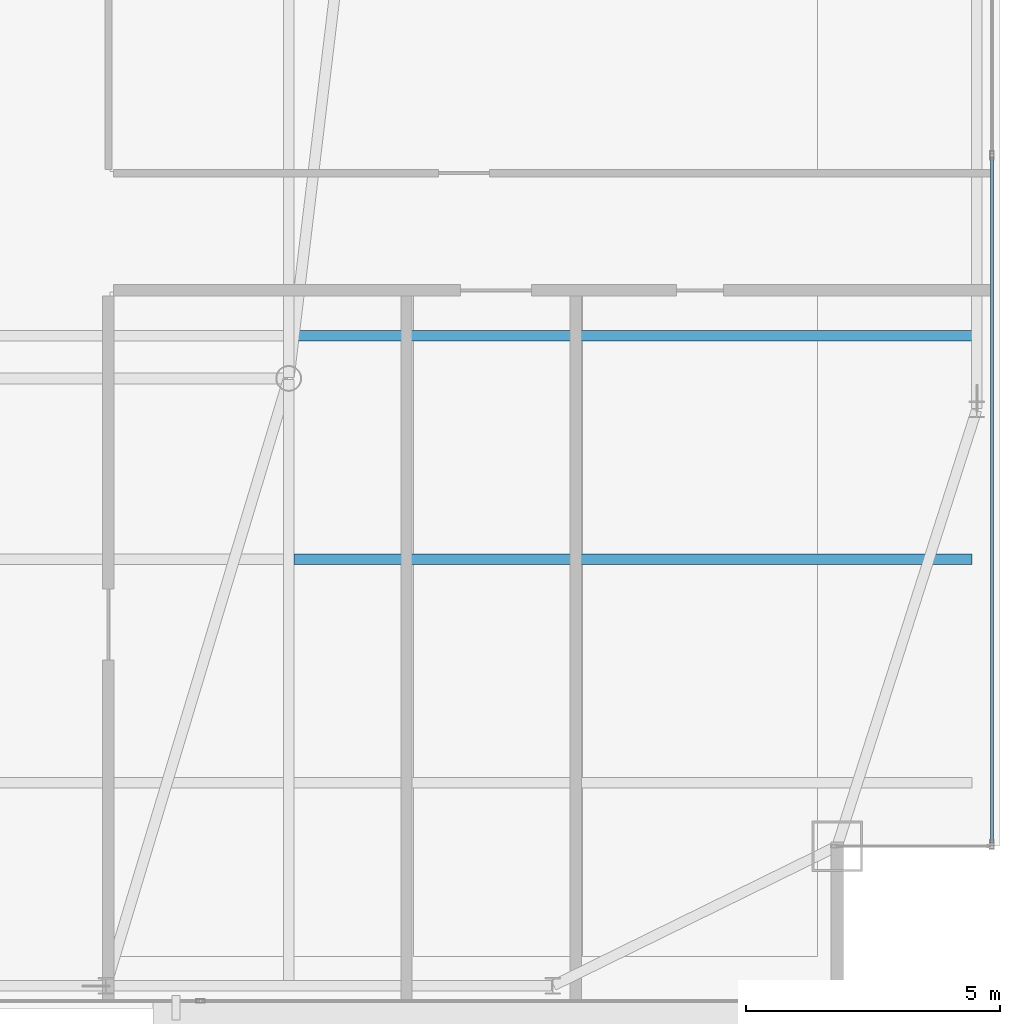
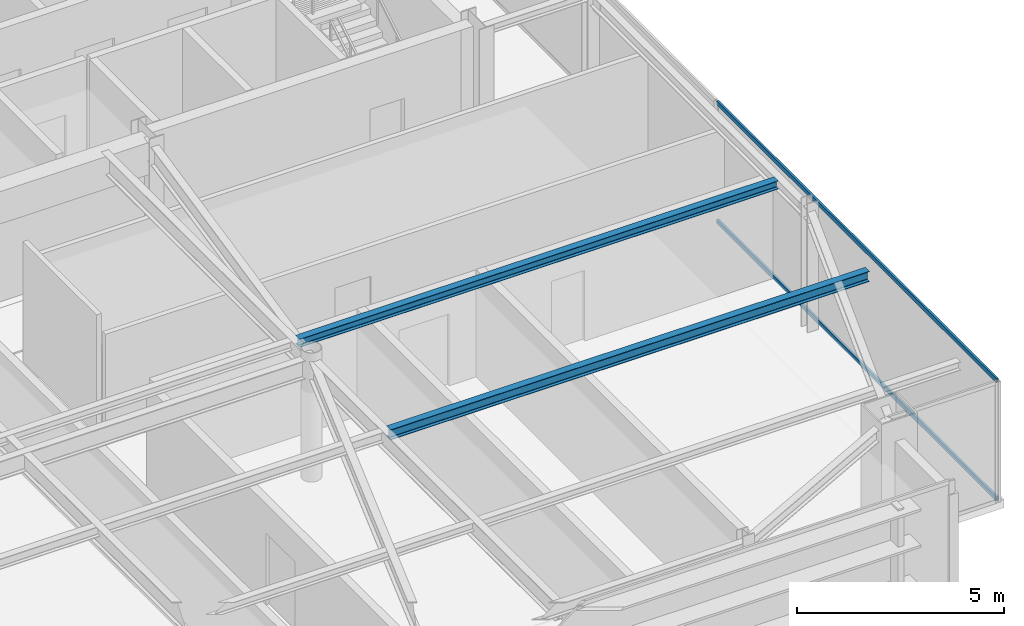
# One storey, part 15 of 24: 2 beams, 2 members, 1 element without a shape of its own.
"""IFC4 building model written with IfcOpenShell, lengths in metres."""

import ifcopenshell
import ifcopenshell.guid

model = None  # the IFC model being written
_history = None  # IfcOwnerHistory: only IFC2X3 demands one
_inside = {}  # id of a spatial element -> (the spatial element, [elements in it])
_under = {}  # id of a project, library or spatial element -> (it, [spatial elements below it])
_declared = {}  # id of a project -> (the project, [libraries it declares])
_typed = {}  # id of a type object -> (the type object, [elements of that type])
_made_of = {}  # id of a material, layer set ... -> (it, [elements and type objects made of it])


def new_model(schema):
    """Start an empty IFC model of exactly this schema.

    Asked for "IFC4X3", IfcOpenShell would pick the latest addendum, in which some entities
    have other attributes; the version numbers below select the first issue.
    IFC2X3 requires an IfcOwnerHistory on every rooted entity: one is made here for all.
    """
    global model, _history
    if schema == "IFC4X3":
        model = ifcopenshell.file(schema_version=(4, 3, 0, 0))
    else:
        model = ifcopenshell.file(schema=schema)
    _inside.clear()
    _under.clear()
    _declared.clear()
    _typed.clear()
    _made_of.clear()
    _history = None
    if model.schema == "IFC2X3":
        org = make("IfcOrganization", Name="unknown")
        user = make(
            "IfcPersonAndOrganization",
            ThePerson=make("IfcPerson", FamilyName="unknown"),
            TheOrganization=org,
        )
        app = make(
            "IfcApplication",
            ApplicationDeveloper=org,
            Version="unknown",
            ApplicationFullName="unknown",
            ApplicationIdentifier="unknown",
        )
        _history = make(
            "IfcOwnerHistory",
            OwningUser=user,
            OwningApplication=app,
            ChangeAction="ADDED",
            CreationDate=0,
        )
    return model


def make(cls, **values):
    """One entity of the class cls with the attributes given. An attribute that is None is left unset."""
    return model.create_entity(
        cls, **{name: value for name, value in values.items() if value is not None}
    )


def rooted(cls, **values):
    """An entity with a GlobalId (a new one), such as an element, a storey or a relation."""
    return make(cls, GlobalId=ifcopenshell.guid.new(), OwnerHistory=_history, **values)


def si_unit(unit_type, name, prefix=None):
    """IfcSIUnit, for example si_unit("LENGTHUNIT", "METRE", prefix="MILLI")."""
    return make("IfcSIUnit", UnitType=unit_type, Prefix=prefix, Name=name)


def assignment(units):
    """IfcUnitAssignment: the units of a project."""
    return None if units is None else make("IfcUnitAssignment", Units=units)


def point(xyz):
    """IfcCartesianPoint."""
    return None if xyz is None else make("IfcCartesianPoint", Coordinates=xyz)


def direction(xyz):
    """IfcDirection."""
    return None if xyz is None else make("IfcDirection", DirectionRatios=xyz)


def frame(location, z_axis=None, x_axis=None):
    """IfcAxis2Placement3D, a coordinate frame: its origin and axes. An axis left out is left unset."""
    return make(
        "IfcAxis2Placement3D",
        Location=point(location),
        Axis=direction(z_axis),
        RefDirection=direction(x_axis),
    )


def frame_2d(location, x_axis=None):
    """IfcAxis2Placement2D, a coordinate frame in the plane: its origin and x axis."""
    return make(
        "IfcAxis2Placement2D", Location=point(location), RefDirection=direction(x_axis)
    )


def origin():
    """The frame at (0, 0, 0) with its axes left unset."""
    return frame((0.0, 0.0, 0.0))


def origin_2d():
    """The frame at (0, 0) in the plane with its x axis left unset."""
    return frame_2d((0.0, 0.0))


def place(relative_to, where):
    """IfcLocalPlacement: puts the frame where relative to a parent placement (None: the world)."""
    return make(
        "IfcLocalPlacement", PlacementRelTo=relative_to, RelativePlacement=where
    )


def context(
    kind, dimensions, precision=None, world=None, true_north=None, identifier=None
):
    """IfcGeometricRepresentationContext, for example the 3D "Model" context."""
    return make(
        "IfcGeometricRepresentationContext",
        ContextIdentifier=identifier,
        ContextType=kind,
        CoordinateSpaceDimension=dimensions,
        Precision=precision,
        WorldCoordinateSystem=world,
        TrueNorth=true_north,
    )


def subcontext(parent, identifier, kind, view, scale=None):
    """IfcGeometricRepresentationSubContext, for example "Body" below "Model"."""
    return make(
        "IfcGeometricRepresentationSubContext",
        ContextIdentifier=identifier,
        ContextType=kind,
        ParentContext=parent,
        TargetScale=scale,
        TargetView=view,
    )


def project(units=None, contexts=None):
    """IfcProject with its units and contexts."""
    return rooted(
        "IfcProject",
        Name="project",
        RepresentationContexts=contexts,
        UnitsInContext=assignment(units),
    )


def spatial(cls, under=None, at=None, **own):
    """A site, building, storey or space (cls), placed at a placement, below another one or the project."""
    s = rooted(cls, ObjectPlacement=at, **own)
    if under is not None:
        _under.setdefault(under.id(), (under, []))[1].append(s)
    return s


def profile(cls, at=None, kind="AREA", **sizes):
    """A parametric profile (cls). Its sizes go by their IFC names, for example OverallWidth=200.0."""
    return make(cls, ProfileType=kind, Position=at, **sizes)


def hollow_rectangle(**sizes):
    """IfcRectangleHollowProfileDef."""
    return profile("IfcRectangleHollowProfileDef", **sizes)


def i_section(**sizes):
    """IfcIShapeProfileDef."""
    return profile("IfcIShapeProfileDef", **sizes)


def extrude(swept, where, along, depth):
    """IfcExtrudedAreaSolid: the profile swept, set in the frame where, extruded along a direction by depth."""
    return make(
        "IfcExtrudedAreaSolid",
        SweptArea=swept,
        Position=where,
        ExtrudedDirection=direction(along),
        Depth=depth,
    )


def shape(context_of_items, identifier, shape_type, items):
    """IfcShapeRepresentation: the items that make up one representation, for example the "Body"."""
    return make(
        "IfcShapeRepresentation",
        ContextOfItems=context_of_items,
        RepresentationIdentifier=identifier,
        RepresentationType=shape_type,
        Items=items,
    )


def source(mapping_origin, context_of_items, identifier, shape_type, items):
    """IfcRepresentationMap: a shape defined once, which mapped items show again and again."""
    return make(
        "IfcRepresentationMap",
        MappingOrigin=mapping_origin,
        MappedRepresentation=shape(context_of_items, identifier, shape_type, items),
    )


def transform(
    local_origin,
    x_axis=None,
    y_axis=None,
    z_axis=None,
    scale=None,
    scale2=None,
    scale3=None,
    uniform=True,
):
    """IfcCartesianTransformationOperator3D, or its non-uniform kind. x_axis, y_axis, z_axis: its Axis1, 2, 3."""
    if uniform:
        return make(
            "IfcCartesianTransformationOperator3D",
            Axis1=direction(x_axis),
            Axis2=direction(y_axis),
            LocalOrigin=point(local_origin),
            Scale=scale,
            Axis3=direction(z_axis),
        )
    return make(
        "IfcCartesianTransformationOperator3DnonUniform",
        Axis1=direction(x_axis),
        Axis2=direction(y_axis),
        LocalOrigin=point(local_origin),
        Scale=scale,
        Axis3=direction(z_axis),
        Scale2=scale2,
        Scale3=scale3,
    )


def mapped(mapping_source, mapping_target):
    """IfcMappedItem: shows the shape of a source again, moved by a transform."""
    return make(
        "IfcMappedItem", MappingSource=mapping_source, MappingTarget=mapping_target
    )


def material(Name=None, Category=None):
    """IfcMaterial."""
    return make("IfcMaterial", Name=Name, Category=Category)


def layer(
    of_material, thickness, ventilated=None, Name=None, Category=None, Priority=None
):
    """IfcMaterialLayer: one layer of a wall or slab, of a material (None: an air gap)."""
    return make(
        "IfcMaterialLayer",
        Material=of_material,
        LayerThickness=thickness,
        IsVentilated=ventilated,
        Name=Name,
        Category=Category,
        Priority=Priority,
    )


def layer_set(layers, Name=None):
    """IfcMaterialLayerSet."""
    return make("IfcMaterialLayerSet", MaterialLayers=layers, LayerSetName=Name)


def material_profile(
    of_material, cross_section, Name=None, Category=None, Priority=None
):
    """IfcMaterialProfile: a cross section and its material."""
    return make(
        "IfcMaterialProfile",
        Name=Name,
        Material=of_material,
        Profile=cross_section,
        Priority=Priority,
        Category=Category,
    )


def profile_set(profiles, Name=None, composite=None):
    """IfcMaterialProfileSet."""
    return make(
        "IfcMaterialProfileSet",
        Name=Name,
        MaterialProfiles=profiles,
        CompositeProfile=composite,
    )


def made_of(thing, what):
    """Note that an element or type object is made of a material, layer set ...; save() writes the relation."""
    if what is not None:
        _made_of.setdefault(what.id(), (what, []))[1].append(thing)
    return thing


def type_object(cls, material=None, **own):
    """A type object (cls), such as IfcWallType, which elements share."""
    return made_of(rooted(cls, **own), material)


def type_shapes(of_type, sources):
    """Give a type object the sources (RepresentationMaps) that its elements show as mapped items."""
    of_type.RepresentationMaps = sources


def element(
    cls,
    number,
    at=None,
    inside=None,
    cuts=None,
    type_object=None,
    material=None,
    context=None,
    identifier="Body",
    shape_type=None,
    held_by="IfcProductDefinitionShape",
    body=None,
    shapes=None,
    **own,
):
    """One element of the class cls, such as IfcWall. Its Tag is "e" and its number.

    at: its placement. inside: the storey or other place that contains it. cuts: it is an
    opening in that element (IfcRelVoidsElement). A single representation is given by context,
    identifier, shape_type and body (its items); several are given by shapes. held_by: the class
    of the entity that holds the representations. save() writes the other relations.
    """
    e = rooted(cls, Tag="e%d" % number, ObjectPlacement=at, **own)
    if body is not None:
        shapes = [shape(context, identifier, shape_type, body)]
    if shapes is not None:
        e.Representation = make(held_by, Representations=shapes)
    if inside is not None:
        _inside.setdefault(inside.id(), (inside, []))[1].append(e)
    if cuts is not None:
        rooted(
            "IfcRelVoidsElement", RelatingBuildingElement=cuts, RelatedOpeningElement=e
        )
    if type_object is not None:
        _typed.setdefault(type_object.id(), (type_object, []))[1].append(e)
    return made_of(e, material)


def aggregate(whole, parts):
    """IfcRelAggregates: a whole, such as a stair, and the parts it consists of."""
    return rooted("IfcRelAggregates", RelatingObject=whole, RelatedObjects=parts)


def save(model, path):
    """Write the relations noted so far, then the file.

    IfcRelAggregates (storeys below a building ...), IfcRelContainedInSpatialStructure (elements
    in a storey), IfcRelDefinesByType, IfcRelAssociatesMaterial and IfcRelDeclares: one each for
    every whole, place, type object, material and project.
    """
    for whole, parts in _under.values():
        aggregate(whole, parts)
    for where, things in _inside.values():
        rooted(
            "IfcRelContainedInSpatialStructure",
            RelatedElements=things,
            RelatingStructure=where,
        )
    for kind, things in _typed.values():
        rooted("IfcRelDefinesByType", RelatedObjects=things, RelatingType=kind)
    for what, things in _made_of.values():
        rooted("IfcRelAssociatesMaterial", RelatedObjects=things, RelatingMaterial=what)
    for by, libraries in _declared.values():
        rooted("IfcRelDeclares", RelatingContext=by, RelatedDefinitions=libraries)
    model.write(path)


model = new_model("IFC4")

# Units and contexts
model_context = context("Model", 3, precision=1e-05, world=origin(), true_north=direction((0.0, 1.0)))
body_context = subcontext(model_context, "Body", "Model", "MODEL_VIEW")
ifc_project = project(units=[si_unit("LENGTHUNIT", "METRE"), si_unit("AREAUNIT", "SQUARE_METRE"), si_unit("VOLUMEUNIT", "CUBIC_METRE"), si_unit("PLANEANGLEUNIT", "RADIAN"), si_unit("MASSUNIT", "GRAM", prefix="KILO")], contexts=[model_context])

# Site, building, storey
site_placement = place(None, origin())
site = spatial("IfcSite", under=ifc_project, at=site_placement, CompositionType="ELEMENT")
building_placement = place(site_placement, origin())
building = spatial("IfcBuilding", under=site, at=building_placement, Name="Varnel Quay Broadcast Tower", CompositionType="ELEMENT")
storey_placement = place(building_placement, frame((0.0, 0.0, 285.0)))
storey = spatial("IfcBuildingStorey", under=building, at=storey_placement, Name="L71", CompositionType="ELEMENT", Elevation=285.0)

# Beams
ifc_material_1 = material(Name="Structural Steel CSA G40.21 350W", Category="steel")
ifc_material_profile_1 = material_profile(ifc_material_1, i_section(OverallWidth=0.201904296875, OverallDepth=0.2470703125, WebThickness=0.00732421875, FlangeThickness=0.010986328125, FilletRadius=0.010986328125, at=origin_2d()), Name="W250X49")
ifc_profile_set_1 = profile_set([ifc_material_profile_1], Name="Structural Steel CSA G40.21 350W")
beam_type_1 = type_object("IfcBeamType", Name="Beam_W250X49", PredefinedType="JOIST", material=ifc_profile_set_1)
shared_shape_1 = source(origin(), body_context, "Body", "SweptSolid", [
    extrude(i_section(OverallWidth=0.201904296875, OverallDepth=0.2470703125, WebThickness=0.00732421875, FlangeThickness=0.010986328125, FilletRadius=0.010986328125, at=origin_2d()), origin(), (0.0, 0.0, 1.0), 13.351318359375),
])
type_shapes(beam_type_1, [shared_shape_1])
beam_1_placement = place(storey_placement, frame((42.10107421875, 26.449951171875, 3.426513671875), z_axis=(1.0, 0.0, 0.0), x_axis=(0.0, 1.0, 0.0)))
element("IfcBeam", 1, at=beam_1_placement, inside=storey, type_object=beam_type_1, Name="L71 East Floor Joist 3", PredefinedType="JOIST", context=body_context, shape_type="MappedRepresentation", body=[
    mapped(shared_shape_1, transform((0.0, 0.0, 0.0), x_axis=(1.0, 0.0, 0.0), y_axis=(0.0, 1.0, 0.0), z_axis=(0.0, 0.0, 1.0), scale=1.0)),
])
ifc_material_profile_2 = material_profile(ifc_material_1, i_section(OverallWidth=0.202880859375, OverallDepth=0.302978515625, WebThickness=0.007568359375, FlangeThickness=0.01318359375, FilletRadius=0.011962890625, at=origin_2d()), Name="W310X60")
ifc_profile_set_2 = profile_set([ifc_material_profile_2], Name="Structural Steel CSA G40.21 350W")
beam_type_2 = type_object("IfcBeamType", Name="Beam_W310X60", PredefinedType="JOIST", material=ifc_profile_set_2)
shared_shape_2 = source(origin(), body_context, "Body", "SweptSolid", [
    extrude(i_section(OverallWidth=0.202880859375, OverallDepth=0.302978515625, WebThickness=0.007568359375, FlangeThickness=0.01318359375, FilletRadius=0.011962890625, at=origin_2d()), origin(), (0.0, 0.0, 1.0), 13.351318359375),
])
type_shapes(beam_type_2, [shared_shape_2])
beam_2_placement = place(storey_placement, frame((42.10107421875, 22.050048828125, 3.3984375), z_axis=(1.0, 0.0, 0.0), x_axis=(0.0, 1.0, 0.0)))
element("IfcBeam", 2, at=beam_2_placement, inside=storey, type_object=beam_type_2, Name="L71 East Floor Joist 2", PredefinedType="JOIST", context=body_context, shape_type="MappedRepresentation", body=[
    mapped(shared_shape_2, transform((0.0, 0.0, 0.0), x_axis=(1.0, 0.0, 0.0), y_axis=(0.0, 1.0, 0.0), z_axis=(0.0, 0.0, 1.0), scale=1.0)),
])

# Curtain wall, members
ifc_material_2 = material(Name="Anodised Bronze Aluminium 6063-T6", Category="aluminium")
ifc_layer = layer(ifc_material_2, 0.18994140625, Name="Anodised Bronze Aluminium 6063-T6")
ifc_layer_set = layer_set([ifc_layer], Name="Anodised Bronze Aluminium 6063-T6")
curtain_wall_type = type_object("IfcCurtainWallType", Name="CW_UpperTower", PredefinedType="NOTDEFINED", material=ifc_layer_set)
curtain_wall_placement = place(storey_placement, origin())
curtain_wall = element("IfcCurtainWall", 3, at=curtain_wall_placement, inside=storey, type_object=curtain_wall_type, Name="L71 East Unitised Curtain Wall", PredefinedType="NOTDEFINED")
ifc_material_profile_3 = material_profile(ifc_material_2, hollow_rectangle(XDim=0.06005859375, YDim=0.125, WallThickness=0.0029296875, at=origin_2d()), Name="ALU60X125X3")
ifc_profile_set_3 = profile_set([ifc_material_profile_3], Name="Anodised Bronze Aluminium 6063-T6")
member_type = type_object("IfcMemberType", Name="Tran_CWS-03", PredefinedType="USERDEFINED", material=ifc_profile_set_3)
shared_shape_3 = source(origin(), body_context, "Body", "SweptSolid", [
    extrude(hollow_rectangle(XDim=0.06005859375, YDim=0.125, WallThickness=0.0029296875, at=origin_2d()), origin(), (0.0, 0.0, 1.0), 13.50244140625),
])
type_shapes(member_type, [shared_shape_3])
member_1_placement = place(storey_placement, frame((55.85009765625, 16.465087890625, 0.030029296875), z_axis=(0.0, 1.0, 0.0), x_axis=(-1.0, 0.0, 0.0)))
member_1 = element("IfcMember", 4, at=member_1_placement, type_object=member_type, Name="CWS-03 transom 1.1", ObjectType="TRANSOM", PredefinedType="USERDEFINED", context=body_context, shape_type="MappedRepresentation", body=[
    mapped(shared_shape_3, transform((0.0, 0.0, 0.0), x_axis=(1.0, 0.0, 0.0), y_axis=(0.0, 1.0, 0.0), z_axis=(0.0, 0.0, 1.0), scale=1.0)),
])
member_2_placement = place(storey_placement, frame((55.85009765625, 16.465087890625, 3.52001953125), z_axis=(0.0, 1.0, 0.0), x_axis=(-1.0, 0.0, 0.0)))
member_2 = element("IfcMember", 5, at=member_2_placement, type_object=member_type, Name="CWS-03 transom 1.2", ObjectType="TRANSOM", PredefinedType="USERDEFINED", context=body_context, shape_type="MappedRepresentation", body=[
    mapped(shared_shape_3, transform((0.0, 0.0, 0.0), x_axis=(1.0, 0.0, 0.0), y_axis=(0.0, 1.0, 0.0), z_axis=(0.0, 0.0, 1.0), scale=1.0)),
])
aggregate(curtain_wall, [member_1, member_2])

save(model, "model.ifc")
